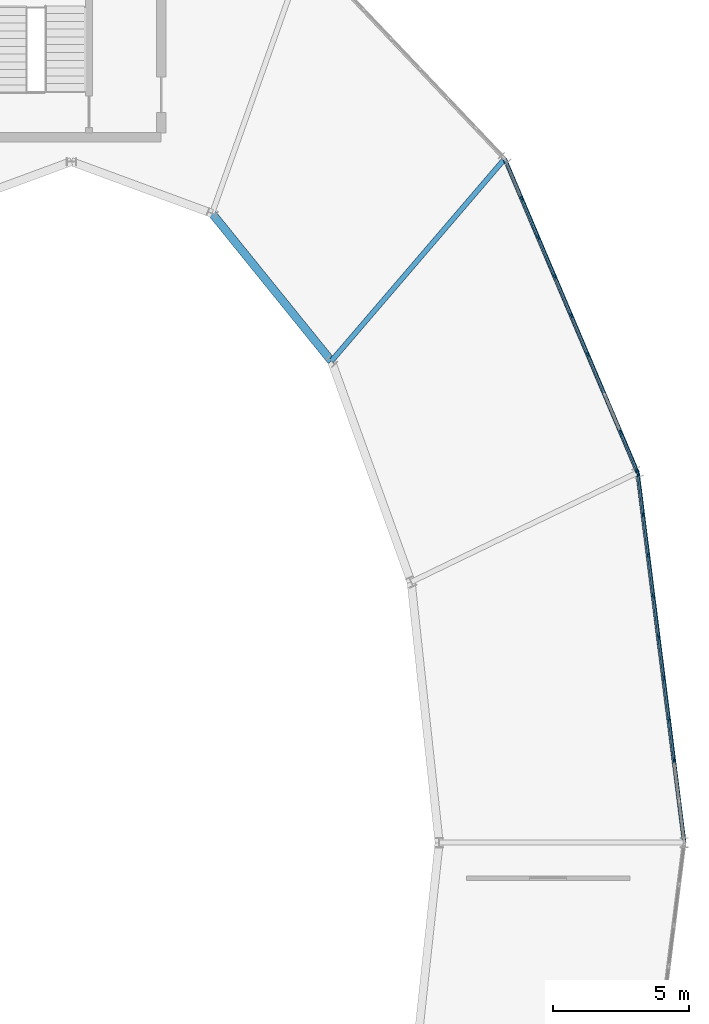
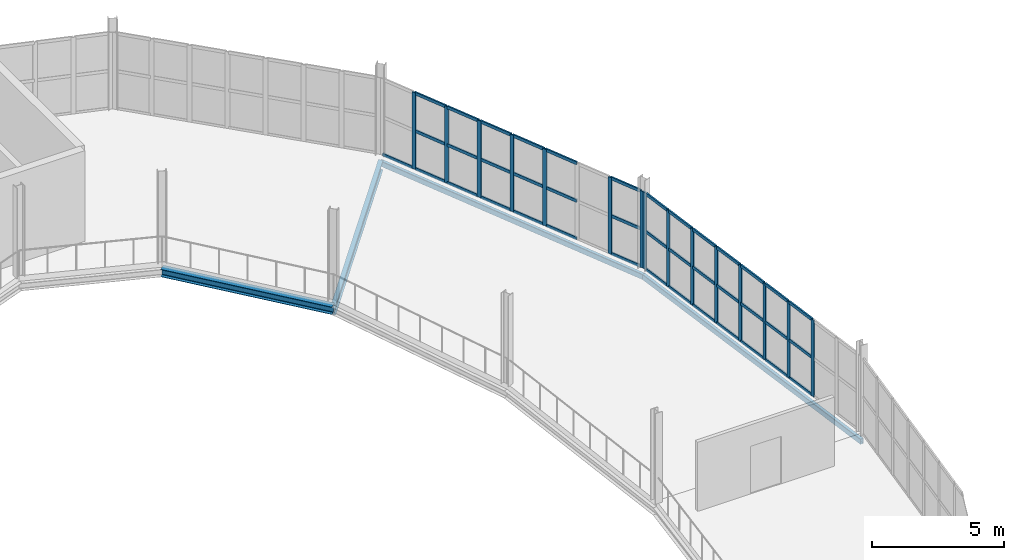
# One storey, part 92 of 161: 55 members, 4 beams, 2 elements without a shape of their own.
"""IFC4 building model written with IfcOpenShell, lengths in metres."""

from ifc_helpers import new_model, si_unit, direction, frame, origin, origin_2d, place, context, subcontext, project, spatial, rectangle, hollow_rectangle, i_section, extrude, material, material_profile, profile_set, type_object, element, aggregate, save


model = new_model("IFC4")

# Units and contexts
model_context = context("Model", 3, precision=1e-05, world=origin(), true_north=direction((0.0, 1.0)))
body_context = subcontext(model_context, "Body", "Model", "MODEL_VIEW")
ifc_project = project(units=[si_unit("LENGTHUNIT", "METRE"), si_unit("AREAUNIT", "SQUARE_METRE"), si_unit("VOLUMEUNIT", "CUBIC_METRE"), si_unit("PLANEANGLEUNIT", "RADIAN"), si_unit("MASSUNIT", "GRAM", prefix="KILO")], contexts=[model_context])

# Site, building, storey
site_placement = place(None, origin())
site = spatial("IfcSite", under=ifc_project, at=site_placement, CompositionType="ELEMENT")
building_placement = place(site_placement, origin())
building = spatial("IfcBuilding", under=site, at=building_placement, Name="Kildeholm Park Wholesale Market", CompositionType="ELEMENT")
storey_placement = place(building_placement, frame((0.0, 0.0, 5.39990234375)))
storey = spatial("IfcBuildingStorey", under=building, at=storey_placement, Name="L01", CompositionType="ELEMENT", Elevation=5.39990234375)

# Beams
ifc_material_1 = material(Name="Steel S355", Category="steel")
ifc_material_profile_1 = material_profile(ifc_material_1, i_section(OverallWidth=0.18994140625, OverallDepth=0.449951171875, WebThickness=0.009521484375, FlangeThickness=0.0146484375, FilletRadius=0.02099609375, at=origin_2d()), Name="IPE 450")
ifc_profile_set_1 = profile_set([ifc_material_profile_1], Name="Steel S355")
beam_type_1 = type_object("IfcBeamType", Name="Beam B-P02 IPE 450", PredefinedType="BEAM", material=ifc_profile_set_1)
beam_1_placement = place(storey_placement, frame((197.5458984375, 112.177978515625, -0.48486328125), z_axis=(0.650822214859, 0.75923016579, 0.0), x_axis=(-0.75923016579, 0.650822214859, 0.0)))
element("IfcBeam", 1, at=beam_1_placement, inside=storey, type_object=beam_type_1, Name="Beam BM-V2-L01-R-02 BM-0377", PredefinedType="BEAM", context=body_context, shape_type="SweptSolid", body=[
    extrude(i_section(OverallWidth=0.18994140625, OverallDepth=0.449951171875, WebThickness=0.009521484375, FlangeThickness=0.0146484375, FilletRadius=0.02099609375, at=origin_2d()), origin(), (0.0, 0.0, 1.0), 9.7783203125),
])
ifc_material_profile_2 = material_profile(ifc_material_1, i_section(OverallWidth=0.300048828125, OverallDepth=0.35009765625, WebThickness=0.010009765625, FlangeThickness=0.017578125, FilletRadius=0.027099609375, at=origin_2d()), Name="HEA 360")
ifc_profile_set_2 = profile_set([ifc_material_profile_2], Name="Steel S355")
beam_type_2 = type_object("IfcBeamType", Name="Beam B-R01 HEA 360", PredefinedType="BEAM", material=ifc_profile_set_2)
beam_2_placement = place(storey_placement, frame((197.5458984375, 112.177978515625, -0.434814453125), z_axis=(-0.628601322688, 0.777727701136, 0.0), x_axis=(-0.777727701136, -0.628601322688, 0.0)))
element("IfcBeam", 2, at=beam_2_placement, inside=storey, type_object=beam_type_2, Name="Beam BM-V2-L01-CI-02 BM-0379", PredefinedType="BEAM", context=body_context, shape_type="SweptSolid", body=[
    extrude(i_section(OverallWidth=0.300048828125, OverallDepth=0.35009765625, WebThickness=0.010009765625, FlangeThickness=0.017578125, FilletRadius=0.027099609375, at=origin_2d()), origin(), (0.0, 0.0, 1.0), 6.9677734375),
])
ifc_material_profile_3 = material_profile(ifc_material_1, hollow_rectangle(XDim=0.14990234375, YDim=0.25, WallThickness=0.010009765625, InnerFilletRadius=0.010009765625, OuterFilletRadius=0.02001953125, at=origin_2d()), Name="RHS 250x150x10")
ifc_profile_set_3 = profile_set([ifc_material_profile_3], Name="Steel S355")
beam_type_3 = type_object("IfcBeamType", Name="Beam SP-02 RHS 250x150x10", PredefinedType="SPANDREL", material=ifc_profile_set_3)
beam_3_placement = place(storey_placement, frame((210.5, 94.5, -0.385009765625), z_axis=(-0.125096795787, 0.99214454173, 0.0), x_axis=(-0.99214454173, -0.125096795787, 0.0)))
element("IfcBeam", 3, at=beam_3_placement, inside=storey, type_object=beam_type_3, Name="Beam BM-V2-L01-CO-00 BM-0366", PredefinedType="SPANDREL", context=body_context, shape_type="SweptSolid", body=[
    extrude(hollow_rectangle(XDim=0.14990234375, YDim=0.25, WallThickness=0.010009765625, InnerFilletRadius=0.010009765625, OuterFilletRadius=0.02001953125, at=origin_2d()), origin(), (0.0, 0.0, 1.0), 13.692626953125),
])
beam_4_placement = place(storey_placement, frame((208.787109375, 108.0849609375, -0.385009765625), z_axis=(-0.389950720924, 0.920835726528, 0.0), x_axis=(-0.920835726528, -0.389950720924, 0.0)))
element("IfcBeam", 4, at=beam_4_placement, inside=storey, type_object=beam_type_3, Name="Beam BM-V2-L01-CO-01 BM-0373", PredefinedType="SPANDREL", context=body_context, shape_type="SweptSolid", body=[
    extrude(hollow_rectangle(XDim=0.14990234375, YDim=0.25, WallThickness=0.010009765625, InnerFilletRadius=0.010009765625, OuterFilletRadius=0.02001953125, at=origin_2d()), origin(), (0.0, 0.0, 1.0), 12.50732421875),
])

# Curtain wall, members
ifc_material_2 = material(Name="Anodised aluminium and low-E double-glazed glass", Category="aluminium")
curtain_wall_type = type_object("IfcCurtainWallType", Name="Market hall glazed arcade stick curtain wall CW-01", PredefinedType="NOTDEFINED", material=ifc_material_2)
curtain_wall_1_placement = place(storey_placement, origin())
curtain_wall_1 = element("IfcCurtainWall", 5, at=curtain_wall_1_placement, inside=storey, type_object=curtain_wall_type, Name="Curtain wall CW-V2-L01-00 CW-0119", PredefinedType="NOTDEFINED")
ifc_material_3 = material(Name="Anodised aluminium", Category="aluminium")
ifc_material_profile_4 = material_profile(ifc_material_3, rectangle(XDim=0.06494140625, YDim=0.179931640625, at=origin_2d()), Name="CWM 65x180")
ifc_profile_set_4 = profile_set([ifc_material_profile_4], Name="Anodised aluminium")
member_type_1 = type_object("IfcMemberType", Name="Curtain-wall mullion CWM-1 CWM 65x180", PredefinedType="MULLION", material=ifc_profile_set_4)
member_1_placement = place(storey_placement, frame((210.12158203125, 97.54248046875, 0.0), z_axis=(0.0, 0.0, 1.0), x_axis=(-0.992145095497, -0.12509240377, 0.0)))
member_1 = element("IfcMember", 6, at=member_1_placement, type_object=member_type_1, Name="CW-01 mullion 3 MEM-3650", PredefinedType="MULLION", context=body_context, shape_type="SweptSolid", body=[
    extrude(rectangle(XDim=0.06494140625, YDim=0.179931640625, at=origin_2d()), origin(), (0.0, 0.0, 1.0), 3.550048828125),
])
member_2_placement = place(storey_placement, frame((209.932373046875, 99.043212890625, 0.0), z_axis=(0.0, 0.0, 1.0), x_axis=(-0.992145095497, -0.12509240377, 0.0)))
member_2 = element("IfcMember", 7, at=member_2_placement, type_object=member_type_1, Name="CW-01 mullion 4 MEM-3651", PredefinedType="MULLION", context=body_context, shape_type="SweptSolid", body=[
    extrude(rectangle(XDim=0.06494140625, YDim=0.179931640625, at=origin_2d()), origin(), (0.0, 0.0, 1.0), 3.550048828125),
])
member_3_placement = place(storey_placement, frame((209.7431640625, 100.544189453125, 0.0), z_axis=(0.0, 0.0, 1.0), x_axis=(-0.992145095497, -0.12509240377, 0.0)))
member_3 = element("IfcMember", 8, at=member_3_placement, type_object=member_type_1, Name="CW-01 mullion 5 MEM-3652", PredefinedType="MULLION", context=body_context, shape_type="SweptSolid", body=[
    extrude(rectangle(XDim=0.06494140625, YDim=0.179931640625, at=origin_2d()), origin(), (0.0, 0.0, 1.0), 3.550048828125),
])
member_4_placement = place(storey_placement, frame((209.553955078125, 102.044921875, 0.0), z_axis=(0.0, 0.0, 1.0), x_axis=(-0.992145095497, -0.12509240377, 0.0)))
member_4 = element("IfcMember", 9, at=member_4_placement, type_object=member_type_1, Name="CW-01 mullion 6 MEM-3653", PredefinedType="MULLION", context=body_context, shape_type="SweptSolid", body=[
    extrude(rectangle(XDim=0.06494140625, YDim=0.179931640625, at=origin_2d()), origin(), (0.0, 0.0, 1.0), 3.550048828125),
])
member_5_placement = place(storey_placement, frame((209.36474609375, 103.545654296875, 0.0), z_axis=(0.0, 0.0, 1.0), x_axis=(-0.992145095497, -0.12509240377, 0.0)))
member_5 = element("IfcMember", 10, at=member_5_placement, type_object=member_type_1, Name="CW-01 mullion 7 MEM-3654", PredefinedType="MULLION", context=body_context, shape_type="SweptSolid", body=[
    extrude(rectangle(XDim=0.06494140625, YDim=0.179931640625, at=origin_2d()), origin(), (0.0, 0.0, 1.0), 3.550048828125),
])
member_6_placement = place(storey_placement, frame((209.175537109375, 105.04638671875, 0.0), z_axis=(0.0, 0.0, 1.0), x_axis=(-0.992145095497, -0.12509240377, 0.0)))
member_6 = element("IfcMember", 11, at=member_6_placement, type_object=member_type_1, Name="CW-01 mullion 8 MEM-3655", PredefinedType="MULLION", context=body_context, shape_type="SweptSolid", body=[
    extrude(rectangle(XDim=0.06494140625, YDim=0.179931640625, at=origin_2d()), origin(), (0.0, 0.0, 1.0), 3.550048828125),
])
member_7_placement = place(storey_placement, frame((208.986328125, 106.547119140625, 0.0), z_axis=(0.0, 0.0, 1.0), x_axis=(-0.992145095497, -0.12509240377, 0.0)))
member_7 = element("IfcMember", 12, at=member_7_placement, type_object=member_type_1, Name="CW-01 mullion 9 MEM-3656", PredefinedType="MULLION", context=body_context, shape_type="SweptSolid", body=[
    extrude(rectangle(XDim=0.06494140625, YDim=0.179931640625, at=origin_2d()), origin(), (0.0, 0.0, 1.0), 3.550048828125),
])
member_8_placement = place(storey_placement, frame((208.801025390625, 108.015869140625, 0.0), z_axis=(0.0, 0.0, 1.0), x_axis=(-0.992145095497, -0.12509240377, 0.0)))
member_8 = element("IfcMember", 13, at=member_8_placement, type_object=member_type_1, Name="CW-01 mullion 10 MEM-3657", PredefinedType="MULLION", context=body_context, shape_type="SweptSolid", body=[
    extrude(rectangle(XDim=0.06494140625, YDim=0.179931640625, at=origin_2d()), origin(), (0.0, 0.0, 1.0), 3.550048828125),
])

curtain_wall_2_placement = place(storey_placement, origin())
curtain_wall_2 = element("IfcCurtainWall", 14, at=curtain_wall_2_placement, inside=storey, type_object=curtain_wall_type, Name="Curtain wall CW-V2-L01-01 CW-0120", PredefinedType="NOTDEFINED")
member_9_placement = place(storey_placement, frame((208.763427734375, 108.156005859375, 0.0), z_axis=(0.0, 0.0, 1.0), x_axis=(-0.920855054668, -0.389905076002, 0.0)))
member_9 = element("IfcMember", 15, at=member_9_placement, type_object=member_type_1, Name="CW-01 mullion 1 MEM-3685", PredefinedType="MULLION", context=body_context, shape_type="SweptSolid", body=[
    extrude(rectangle(XDim=0.06494140625, YDim=0.179931640625, at=origin_2d()), origin(), (0.0, 0.0, 1.0), 3.550048828125),
])
member_10_placement = place(storey_placement, frame((208.170166015625, 109.556640625, 0.0), z_axis=(0.0, 0.0, 1.0), x_axis=(-0.920855054668, -0.389905076002, 0.0)))
member_10 = element("IfcMember", 16, at=member_10_placement, type_object=member_type_1, Name="CW-01 mullion 2 MEM-3686", PredefinedType="MULLION", context=body_context, shape_type="SweptSolid", body=[
    extrude(rectangle(XDim=0.06494140625, YDim=0.179931640625, at=origin_2d()), origin(), (0.0, 0.0, 1.0), 3.550048828125),
])
member_11_placement = place(storey_placement, frame((206.958740234375, 112.41796875, 0.0), z_axis=(0.0, 0.0, 1.0), x_axis=(-0.920855054668, -0.389905076002, 0.0)))
member_11 = element("IfcMember", 17, at=member_11_placement, type_object=member_type_1, Name="CW-01 mullion 4 MEM-3688", PredefinedType="MULLION", context=body_context, shape_type="SweptSolid", body=[
    extrude(rectangle(XDim=0.06494140625, YDim=0.179931640625, at=origin_2d()), origin(), (0.0, 0.0, 1.0), 3.550048828125),
])
member_12_placement = place(storey_placement, frame((206.35302734375, 113.848388671875, 0.0), z_axis=(0.0, 0.0, 1.0), x_axis=(-0.920855054668, -0.389905076002, 0.0)))
member_12 = element("IfcMember", 18, at=member_12_placement, type_object=member_type_1, Name="CW-01 mullion 5 MEM-3689", PredefinedType="MULLION", context=body_context, shape_type="SweptSolid", body=[
    extrude(rectangle(XDim=0.06494140625, YDim=0.179931640625, at=origin_2d()), origin(), (0.0, 0.0, 1.0), 3.550048828125),
])
member_13_placement = place(storey_placement, frame((205.747314453125, 115.279052734375, 0.0), z_axis=(0.0, 0.0, 1.0), x_axis=(-0.920855054668, -0.389905076002, 0.0)))
member_13 = element("IfcMember", 19, at=member_13_placement, type_object=member_type_1, Name="CW-01 mullion 6 MEM-3690", PredefinedType="MULLION", context=body_context, shape_type="SweptSolid", body=[
    extrude(rectangle(XDim=0.06494140625, YDim=0.179931640625, at=origin_2d()), origin(), (0.0, 0.0, 1.0), 3.550048828125),
])
member_14_placement = place(storey_placement, frame((205.1416015625, 116.709716796875, 0.0), z_axis=(0.0, 0.0, 1.0), x_axis=(-0.920855054668, -0.389905076002, 0.0)))
member_14 = element("IfcMember", 20, at=member_14_placement, type_object=member_type_1, Name="CW-01 mullion 7 MEM-3691", PredefinedType="MULLION", context=body_context, shape_type="SweptSolid", body=[
    extrude(rectangle(XDim=0.06494140625, YDim=0.179931640625, at=origin_2d()), origin(), (0.0, 0.0, 1.0), 3.550048828125),
])
member_15_placement = place(storey_placement, frame((204.53564453125, 118.140380859375, 0.0), z_axis=(0.0, 0.0, 1.0), x_axis=(-0.920855054668, -0.389905076002, 0.0)))
member_15 = element("IfcMember", 21, at=member_15_placement, type_object=member_type_1, Name="CW-01 mullion 8 MEM-3692", PredefinedType="MULLION", context=body_context, shape_type="SweptSolid", body=[
    extrude(rectangle(XDim=0.06494140625, YDim=0.179931640625, at=origin_2d()), origin(), (0.0, 0.0, 1.0), 3.550048828125),
])

# Member
ifc_material_profile_5 = material_profile(ifc_material_3, rectangle(XDim=0.06494140625, YDim=0.139892578125, at=origin_2d()), Name="CWT 65x140")
ifc_profile_set_5 = profile_set([ifc_material_profile_5], Name="Anodised aluminium")
member_type_2 = type_object("IfcMemberType", Name="Curtain-wall transom CWT-1 CWT 65x140", PredefinedType="USERDEFINED", material=ifc_profile_set_5)
member_16_placement = place(storey_placement, frame((210.117431640625, 97.57470703125, 0.03271484375), z_axis=(-0.125134744026, 0.992139756203, 0.0), x_axis=(-0.992139756203, -0.125134744026, 0.0)))
member_16 = element("IfcMember", 22, at=member_16_placement, type_object=member_type_2, Name="CW-01 transom 3.1 MEM-3664", ObjectType="TRANSOM", PredefinedType="USERDEFINED", context=body_context, shape_type="SweptSolid", body=[
    extrude(rectangle(XDim=0.06494140625, YDim=0.139892578125, at=origin_2d()), origin(), (0.0, 0.0, 1.0), 1.44775390625),
])

member_17_placement = place(storey_placement, frame((210.117431640625, 97.57470703125, 1.775146484375), z_axis=(-0.125134744026, 0.992139756203, 0.0), x_axis=(-0.992139756203, -0.125134744026, 0.0)))
member_17 = element("IfcMember", 23, at=member_17_placement, type_object=member_type_2, Name="CW-01 transom 3.2 MEM-3665", ObjectType="TRANSOM", PredefinedType="USERDEFINED", context=body_context, shape_type="SweptSolid", body=[
    extrude(rectangle(XDim=0.06494140625, YDim=0.139892578125, at=origin_2d()), origin(), (0.0, 0.0, 1.0), 1.44775390625),
])

member_18_placement = place(storey_placement, frame((210.117431640625, 97.57470703125, 3.517578125), z_axis=(-0.125134744026, 0.992139756203, 0.0), x_axis=(-0.992139756203, -0.125134744026, 0.0)))
member_18 = element("IfcMember", 24, at=member_18_placement, type_object=member_type_2, Name="CW-01 transom 3.3 MEM-3666", ObjectType="TRANSOM", PredefinedType="USERDEFINED", context=body_context, shape_type="SweptSolid", body=[
    extrude(rectangle(XDim=0.06494140625, YDim=0.139892578125, at=origin_2d()), origin(), (0.0, 0.0, 1.0), 1.44775390625),
])

member_19_placement = place(storey_placement, frame((209.92822265625, 99.07568359375, 0.03271484375), z_axis=(-0.125134744026, 0.992139756203, 0.0), x_axis=(-0.992139756203, -0.125134744026, 0.0)))
member_19 = element("IfcMember", 25, at=member_19_placement, type_object=member_type_2, Name="CW-01 transom 4.1 MEM-3667", ObjectType="TRANSOM", PredefinedType="USERDEFINED", context=body_context, shape_type="SweptSolid", body=[
    extrude(rectangle(XDim=0.06494140625, YDim=0.139892578125, at=origin_2d()), origin(), (0.0, 0.0, 1.0), 1.44775390625),
])

member_20_placement = place(storey_placement, frame((209.92822265625, 99.07568359375, 1.775146484375), z_axis=(-0.125134744026, 0.992139756203, 0.0), x_axis=(-0.992139756203, -0.125134744026, 0.0)))
member_20 = element("IfcMember", 26, at=member_20_placement, type_object=member_type_2, Name="CW-01 transom 4.2 MEM-3668", ObjectType="TRANSOM", PredefinedType="USERDEFINED", context=body_context, shape_type="SweptSolid", body=[
    extrude(rectangle(XDim=0.06494140625, YDim=0.139892578125, at=origin_2d()), origin(), (0.0, 0.0, 1.0), 1.44775390625),
])

member_21_placement = place(storey_placement, frame((209.92822265625, 99.07568359375, 3.517578125), z_axis=(-0.125134744026, 0.992139756203, 0.0), x_axis=(-0.992139756203, -0.125134744026, 0.0)))
member_21 = element("IfcMember", 27, at=member_21_placement, type_object=member_type_2, Name="CW-01 transom 4.3 MEM-3669", ObjectType="TRANSOM", PredefinedType="USERDEFINED", context=body_context, shape_type="SweptSolid", body=[
    extrude(rectangle(XDim=0.06494140625, YDim=0.139892578125, at=origin_2d()), origin(), (0.0, 0.0, 1.0), 1.44775390625),
])

member_22_placement = place(storey_placement, frame((209.739013671875, 100.576416015625, 0.03271484375), z_axis=(-0.125134744026, 0.992139756203, 0.0), x_axis=(-0.992139756203, -0.125134744026, 0.0)))
member_22 = element("IfcMember", 28, at=member_22_placement, type_object=member_type_2, Name="CW-01 transom 5.1 MEM-3670", ObjectType="TRANSOM", PredefinedType="USERDEFINED", context=body_context, shape_type="SweptSolid", body=[
    extrude(rectangle(XDim=0.06494140625, YDim=0.139892578125, at=origin_2d()), origin(), (0.0, 0.0, 1.0), 1.44775390625),
])

member_23_placement = place(storey_placement, frame((209.739013671875, 100.576416015625, 1.775146484375), z_axis=(-0.125134744026, 0.992139756203, 0.0), x_axis=(-0.992139756203, -0.125134744026, 0.0)))
member_23 = element("IfcMember", 29, at=member_23_placement, type_object=member_type_2, Name="CW-01 transom 5.2 MEM-3671", ObjectType="TRANSOM", PredefinedType="USERDEFINED", context=body_context, shape_type="SweptSolid", body=[
    extrude(rectangle(XDim=0.06494140625, YDim=0.139892578125, at=origin_2d()), origin(), (0.0, 0.0, 1.0), 1.44775390625),
])

member_24_placement = place(storey_placement, frame((209.739013671875, 100.576416015625, 3.517578125), z_axis=(-0.125134744026, 0.992139756203, 0.0), x_axis=(-0.992139756203, -0.125134744026, 0.0)))
member_24 = element("IfcMember", 30, at=member_24_placement, type_object=member_type_2, Name="CW-01 transom 5.3 MEM-3672", ObjectType="TRANSOM", PredefinedType="USERDEFINED", context=body_context, shape_type="SweptSolid", body=[
    extrude(rectangle(XDim=0.06494140625, YDim=0.139892578125, at=origin_2d()), origin(), (0.0, 0.0, 1.0), 1.44775390625),
])

member_25_placement = place(storey_placement, frame((209.5498046875, 102.0771484375, 0.03271484375), z_axis=(-0.125134744026, 0.992139756203, 0.0), x_axis=(-0.992139756203, -0.125134744026, 0.0)))
member_25 = element("IfcMember", 31, at=member_25_placement, type_object=member_type_2, Name="CW-01 transom 6.1 MEM-3673", ObjectType="TRANSOM", PredefinedType="USERDEFINED", context=body_context, shape_type="SweptSolid", body=[
    extrude(rectangle(XDim=0.06494140625, YDim=0.139892578125, at=origin_2d()), origin(), (0.0, 0.0, 1.0), 1.44775390625),
])

member_26_placement = place(storey_placement, frame((209.5498046875, 102.0771484375, 1.775146484375), z_axis=(-0.125134744026, 0.992139756203, 0.0), x_axis=(-0.992139756203, -0.125134744026, 0.0)))
member_26 = element("IfcMember", 32, at=member_26_placement, type_object=member_type_2, Name="CW-01 transom 6.2 MEM-3674", ObjectType="TRANSOM", PredefinedType="USERDEFINED", context=body_context, shape_type="SweptSolid", body=[
    extrude(rectangle(XDim=0.06494140625, YDim=0.139892578125, at=origin_2d()), origin(), (0.0, 0.0, 1.0), 1.44775390625),
])

member_27_placement = place(storey_placement, frame((209.5498046875, 102.0771484375, 3.517578125), z_axis=(-0.125134744026, 0.992139756203, 0.0), x_axis=(-0.992139756203, -0.125134744026, 0.0)))
member_27 = element("IfcMember", 33, at=member_27_placement, type_object=member_type_2, Name="CW-01 transom 6.3 MEM-3675", ObjectType="TRANSOM", PredefinedType="USERDEFINED", context=body_context, shape_type="SweptSolid", body=[
    extrude(rectangle(XDim=0.06494140625, YDim=0.139892578125, at=origin_2d()), origin(), (0.0, 0.0, 1.0), 1.44775390625),
])

member_28_placement = place(storey_placement, frame((209.360595703125, 103.577880859375, 0.03271484375), z_axis=(-0.125134744026, 0.992139756203, 0.0), x_axis=(-0.992139756203, -0.125134744026, 0.0)))
member_28 = element("IfcMember", 34, at=member_28_placement, type_object=member_type_2, Name="CW-01 transom 7.1 MEM-3676", ObjectType="TRANSOM", PredefinedType="USERDEFINED", context=body_context, shape_type="SweptSolid", body=[
    extrude(rectangle(XDim=0.06494140625, YDim=0.139892578125, at=origin_2d()), origin(), (0.0, 0.0, 1.0), 1.44775390625),
])

member_29_placement = place(storey_placement, frame((209.360595703125, 103.577880859375, 1.775146484375), z_axis=(-0.125134744026, 0.992139756203, 0.0), x_axis=(-0.992139756203, -0.125134744026, 0.0)))
member_29 = element("IfcMember", 35, at=member_29_placement, type_object=member_type_2, Name="CW-01 transom 7.2 MEM-3677", ObjectType="TRANSOM", PredefinedType="USERDEFINED", context=body_context, shape_type="SweptSolid", body=[
    extrude(rectangle(XDim=0.06494140625, YDim=0.139892578125, at=origin_2d()), origin(), (0.0, 0.0, 1.0), 1.44775390625),
])

member_30_placement = place(storey_placement, frame((209.360595703125, 103.577880859375, 3.517578125), z_axis=(-0.125134744026, 0.992139756203, 0.0), x_axis=(-0.992139756203, -0.125134744026, 0.0)))
member_30 = element("IfcMember", 36, at=member_30_placement, type_object=member_type_2, Name="CW-01 transom 7.3 MEM-3678", ObjectType="TRANSOM", PredefinedType="USERDEFINED", context=body_context, shape_type="SweptSolid", body=[
    extrude(rectangle(XDim=0.06494140625, YDim=0.139892578125, at=origin_2d()), origin(), (0.0, 0.0, 1.0), 1.44775390625),
])

member_31_placement = place(storey_placement, frame((209.17138671875, 105.07861328125, 0.03271484375), z_axis=(-0.125134744026, 0.992139756203, 0.0), x_axis=(-0.992139756203, -0.125134744026, 0.0)))
member_31 = element("IfcMember", 37, at=member_31_placement, type_object=member_type_2, Name="CW-01 transom 8.1 MEM-3679", ObjectType="TRANSOM", PredefinedType="USERDEFINED", context=body_context, shape_type="SweptSolid", body=[
    extrude(rectangle(XDim=0.06494140625, YDim=0.139892578125, at=origin_2d()), origin(), (0.0, 0.0, 1.0), 1.44775390625),
])

member_32_placement = place(storey_placement, frame((209.17138671875, 105.07861328125, 1.775146484375), z_axis=(-0.125134744026, 0.992139756203, 0.0), x_axis=(-0.992139756203, -0.125134744026, 0.0)))
member_32 = element("IfcMember", 38, at=member_32_placement, type_object=member_type_2, Name="CW-01 transom 8.2 MEM-3680", ObjectType="TRANSOM", PredefinedType="USERDEFINED", context=body_context, shape_type="SweptSolid", body=[
    extrude(rectangle(XDim=0.06494140625, YDim=0.139892578125, at=origin_2d()), origin(), (0.0, 0.0, 1.0), 1.44775390625),
])

member_33_placement = place(storey_placement, frame((209.17138671875, 105.07861328125, 3.517578125), z_axis=(-0.125134744026, 0.992139756203, 0.0), x_axis=(-0.992139756203, -0.125134744026, 0.0)))
member_33 = element("IfcMember", 39, at=member_33_placement, type_object=member_type_2, Name="CW-01 transom 8.3 MEM-3681", ObjectType="TRANSOM", PredefinedType="USERDEFINED", context=body_context, shape_type="SweptSolid", body=[
    extrude(rectangle(XDim=0.06494140625, YDim=0.139892578125, at=origin_2d()), origin(), (0.0, 0.0, 1.0), 1.44775390625),
])

member_34_placement = place(storey_placement, frame((208.982177734375, 106.579345703125, 0.03271484375), z_axis=(-0.125075078735, 0.992147279732, 0.0), x_axis=(-0.992147279732, -0.125075078735, 0.0)))
member_34 = element("IfcMember", 40, at=member_34_placement, type_object=member_type_2, Name="CW-01 transom 9.1 MEM-3682", ObjectType="TRANSOM", PredefinedType="USERDEFINED", context=body_context, shape_type="SweptSolid", body=[
    extrude(rectangle(XDim=0.06494140625, YDim=0.139892578125, at=origin_2d()), origin(), (0.0, 0.0, 1.0), 1.415283203125),
])

member_35_placement = place(storey_placement, frame((208.982177734375, 106.579345703125, 1.775146484375), z_axis=(-0.125075078735, 0.992147279732, 0.0), x_axis=(-0.992147279732, -0.125075078735, 0.0)))
member_35 = element("IfcMember", 41, at=member_35_placement, type_object=member_type_2, Name="CW-01 transom 9.2 MEM-3683", ObjectType="TRANSOM", PredefinedType="USERDEFINED", context=body_context, shape_type="SweptSolid", body=[
    extrude(rectangle(XDim=0.06494140625, YDim=0.139892578125, at=origin_2d()), origin(), (0.0, 0.0, 1.0), 1.415283203125),
])

member_36_placement = place(storey_placement, frame((208.982177734375, 106.579345703125, 3.517578125), z_axis=(-0.125075078735, 0.992147279732, 0.0), x_axis=(-0.992147279732, -0.125075078735, 0.0)))
member_36 = element("IfcMember", 42, at=member_36_placement, type_object=member_type_2, Name="CW-01 transom 9.3 MEM-3684", ObjectType="TRANSOM", PredefinedType="USERDEFINED", context=body_context, shape_type="SweptSolid", body=[
    extrude(rectangle(XDim=0.06494140625, YDim=0.139892578125, at=origin_2d()), origin(), (0.0, 0.0, 1.0), 1.415283203125),
])

aggregate(curtain_wall_1, [member_1, member_2, member_3, member_4, member_5, member_6, member_7, member_8, member_16, member_17, member_18, member_19, member_20, member_21, member_22, member_23, member_24, member_25, member_26, member_27, member_28, member_29, member_30, member_31, member_32, member_33, member_34, member_35, member_36])

member_37_placement = place(storey_placement, frame((208.750732421875, 108.185791015625, 0.03271484375), z_axis=(-0.389990019704, 0.920819083497, 0.0), x_axis=(-0.920819083497, -0.389990019704, 0.0)))
member_37 = element("IfcMember", 43, at=member_37_placement, type_object=member_type_2, Name="CW-01 transom 1.1 MEM-3694", ObjectType="TRANSOM", PredefinedType="USERDEFINED", context=body_context, shape_type="SweptSolid", body=[
    extrude(rectangle(XDim=0.06494140625, YDim=0.139892578125, at=origin_2d()), origin(), (0.0, 0.0, 1.0), 1.4560546875),
])

member_38_placement = place(storey_placement, frame((208.750732421875, 108.185791015625, 1.775146484375), z_axis=(-0.389990019704, 0.920819083497, 0.0), x_axis=(-0.920819083497, -0.389990019704, 0.0)))
member_38 = element("IfcMember", 44, at=member_38_placement, type_object=member_type_2, Name="CW-01 transom 1.2 MEM-3695", ObjectType="TRANSOM", PredefinedType="USERDEFINED", context=body_context, shape_type="SweptSolid", body=[
    extrude(rectangle(XDim=0.06494140625, YDim=0.139892578125, at=origin_2d()), origin(), (0.0, 0.0, 1.0), 1.4560546875),
])

member_39_placement = place(storey_placement, frame((208.750732421875, 108.185791015625, 3.517578125), z_axis=(-0.389990019704, 0.920819083497, 0.0), x_axis=(-0.920819083497, -0.389990019704, 0.0)))
member_39 = element("IfcMember", 45, at=member_39_placement, type_object=member_type_2, Name="CW-01 transom 1.3 MEM-3696", ObjectType="TRANSOM", PredefinedType="USERDEFINED", context=body_context, shape_type="SweptSolid", body=[
    extrude(rectangle(XDim=0.06494140625, YDim=0.139892578125, at=origin_2d()), origin(), (0.0, 0.0, 1.0), 1.4560546875),
])

member_40_placement = place(storey_placement, frame((207.5517578125, 111.01708984375, 0.03271484375), z_axis=(-0.389837939204, 0.920883478599, 0.0), x_axis=(-0.920883478599, -0.389837939204, 0.0)))
member_40 = element("IfcMember", 46, at=member_40_placement, type_object=member_type_2, Name="CW-01 transom 3.1 MEM-3700", ObjectType="TRANSOM", PredefinedType="USERDEFINED", context=body_context, shape_type="SweptSolid", body=[
    extrude(rectangle(XDim=0.06494140625, YDim=0.139892578125, at=origin_2d()), origin(), (0.0, 0.0, 1.0), 1.488525390625),
])

member_41_placement = place(storey_placement, frame((207.5517578125, 111.01708984375, 1.775146484375), z_axis=(-0.389837939204, 0.920883478599, 0.0), x_axis=(-0.920883478599, -0.389837939204, 0.0)))
member_41 = element("IfcMember", 47, at=member_41_placement, type_object=member_type_2, Name="CW-01 transom 3.2 MEM-3701", ObjectType="TRANSOM", PredefinedType="USERDEFINED", context=body_context, shape_type="SweptSolid", body=[
    extrude(rectangle(XDim=0.06494140625, YDim=0.139892578125, at=origin_2d()), origin(), (0.0, 0.0, 1.0), 1.488525390625),
])

member_42_placement = place(storey_placement, frame((207.5517578125, 111.01708984375, 3.517578125), z_axis=(-0.389837939204, 0.920883478599, 0.0), x_axis=(-0.920883478599, -0.389837939204, 0.0)))
member_42 = element("IfcMember", 48, at=member_42_placement, type_object=member_type_2, Name="CW-01 transom 3.3 MEM-3702", ObjectType="TRANSOM", PredefinedType="USERDEFINED", context=body_context, shape_type="SweptSolid", body=[
    extrude(rectangle(XDim=0.06494140625, YDim=0.139892578125, at=origin_2d()), origin(), (0.0, 0.0, 1.0), 1.488525390625),
])

member_43_placement = place(storey_placement, frame((206.946044921875, 112.44775390625, 0.03271484375), z_axis=(-0.389837939204, 0.920883478599, 0.0), x_axis=(-0.920883478599, -0.389837939204, 0.0)))
member_43 = element("IfcMember", 49, at=member_43_placement, type_object=member_type_2, Name="CW-01 transom 4.1 MEM-3703", ObjectType="TRANSOM", PredefinedType="USERDEFINED", context=body_context, shape_type="SweptSolid", body=[
    extrude(rectangle(XDim=0.06494140625, YDim=0.139892578125, at=origin_2d()), origin(), (0.0, 0.0, 1.0), 1.488525390625),
])

member_44_placement = place(storey_placement, frame((206.946044921875, 112.44775390625, 1.775146484375), z_axis=(-0.389837939204, 0.920883478599, 0.0), x_axis=(-0.920883478599, -0.389837939204, 0.0)))
member_44 = element("IfcMember", 50, at=member_44_placement, type_object=member_type_2, Name="CW-01 transom 4.2 MEM-3704", ObjectType="TRANSOM", PredefinedType="USERDEFINED", context=body_context, shape_type="SweptSolid", body=[
    extrude(rectangle(XDim=0.06494140625, YDim=0.139892578125, at=origin_2d()), origin(), (0.0, 0.0, 1.0), 1.488525390625),
])

member_45_placement = place(storey_placement, frame((206.946044921875, 112.44775390625, 3.517578125), z_axis=(-0.389837939204, 0.920883478599, 0.0), x_axis=(-0.920883478599, -0.389837939204, 0.0)))
member_45 = element("IfcMember", 51, at=member_45_placement, type_object=member_type_2, Name="CW-01 transom 4.3 MEM-3705", ObjectType="TRANSOM", PredefinedType="USERDEFINED", context=body_context, shape_type="SweptSolid", body=[
    extrude(rectangle(XDim=0.06494140625, YDim=0.139892578125, at=origin_2d()), origin(), (0.0, 0.0, 1.0), 1.488525390625),
])

member_46_placement = place(storey_placement, frame((206.34033203125, 113.87841796875, 0.03271484375), z_axis=(-0.389837939204, 0.920883478599, 0.0), x_axis=(-0.920883478599, -0.389837939204, 0.0)))
member_46 = element("IfcMember", 52, at=member_46_placement, type_object=member_type_2, Name="CW-01 transom 5.1 MEM-3706", ObjectType="TRANSOM", PredefinedType="USERDEFINED", context=body_context, shape_type="SweptSolid", body=[
    extrude(rectangle(XDim=0.06494140625, YDim=0.139892578125, at=origin_2d()), origin(), (0.0, 0.0, 1.0), 1.488525390625),
])

member_47_placement = place(storey_placement, frame((206.34033203125, 113.87841796875, 1.775146484375), z_axis=(-0.389837939204, 0.920883478599, 0.0), x_axis=(-0.920883478599, -0.389837939204, 0.0)))
member_47 = element("IfcMember", 53, at=member_47_placement, type_object=member_type_2, Name="CW-01 transom 5.2 MEM-3707", ObjectType="TRANSOM", PredefinedType="USERDEFINED", context=body_context, shape_type="SweptSolid", body=[
    extrude(rectangle(XDim=0.06494140625, YDim=0.139892578125, at=origin_2d()), origin(), (0.0, 0.0, 1.0), 1.488525390625),
])

member_48_placement = place(storey_placement, frame((206.34033203125, 113.87841796875, 3.517578125), z_axis=(-0.389837939204, 0.920883478599, 0.0), x_axis=(-0.920883478599, -0.389837939204, 0.0)))
member_48 = element("IfcMember", 54, at=member_48_placement, type_object=member_type_2, Name="CW-01 transom 5.3 MEM-3708", ObjectType="TRANSOM", PredefinedType="USERDEFINED", context=body_context, shape_type="SweptSolid", body=[
    extrude(rectangle(XDim=0.06494140625, YDim=0.139892578125, at=origin_2d()), origin(), (0.0, 0.0, 1.0), 1.488525390625),
])

member_49_placement = place(storey_placement, frame((205.734619140625, 115.30908203125, 0.03271484375), z_axis=(-0.389977005738, 0.92082459513, 0.0), x_axis=(-0.92082459513, -0.389977005738, 0.0)))
member_49 = element("IfcMember", 55, at=member_49_placement, type_object=member_type_2, Name="CW-01 transom 6.1 MEM-3709", ObjectType="TRANSOM", PredefinedType="USERDEFINED", context=body_context, shape_type="SweptSolid", body=[
    extrude(rectangle(XDim=0.06494140625, YDim=0.139892578125, at=origin_2d()), origin(), (0.0, 0.0, 1.0), 1.48876953125),
])

member_50_placement = place(storey_placement, frame((205.734619140625, 115.30908203125, 1.775146484375), z_axis=(-0.389977005738, 0.92082459513, 0.0), x_axis=(-0.92082459513, -0.389977005738, 0.0)))
member_50 = element("IfcMember", 56, at=member_50_placement, type_object=member_type_2, Name="CW-01 transom 6.2 MEM-3710", ObjectType="TRANSOM", PredefinedType="USERDEFINED", context=body_context, shape_type="SweptSolid", body=[
    extrude(rectangle(XDim=0.06494140625, YDim=0.139892578125, at=origin_2d()), origin(), (0.0, 0.0, 1.0), 1.48876953125),
])

member_51_placement = place(storey_placement, frame((205.734619140625, 115.30908203125, 3.517578125), z_axis=(-0.389977005738, 0.92082459513, 0.0), x_axis=(-0.92082459513, -0.389977005738, 0.0)))
member_51 = element("IfcMember", 57, at=member_51_placement, type_object=member_type_2, Name="CW-01 transom 6.3 MEM-3711", ObjectType="TRANSOM", PredefinedType="USERDEFINED", context=body_context, shape_type="SweptSolid", body=[
    extrude(rectangle(XDim=0.06494140625, YDim=0.139892578125, at=origin_2d()), origin(), (0.0, 0.0, 1.0), 1.48876953125),
])

member_52_placement = place(storey_placement, frame((205.12890625, 116.73974609375, 0.03271484375), z_axis=(-0.390035904039, 0.920799648979, 0.0), x_axis=(-0.920799648979, -0.390035904039, 0.0)))
member_52 = element("IfcMember", 58, at=member_52_placement, type_object=member_type_2, Name="CW-01 transom 7.1 MEM-3712", ObjectType="TRANSOM", PredefinedType="USERDEFINED", context=body_context, shape_type="SweptSolid", body=[
    extrude(rectangle(XDim=0.06494140625, YDim=0.139892578125, at=origin_2d()), origin(), (0.0, 0.0, 1.0), 1.488525390625),
])

member_53_placement = place(storey_placement, frame((205.12890625, 116.73974609375, 1.775146484375), z_axis=(-0.390035904039, 0.920799648979, 0.0), x_axis=(-0.920799648979, -0.390035904039, 0.0)))
member_53 = element("IfcMember", 59, at=member_53_placement, type_object=member_type_2, Name="CW-01 transom 7.2 MEM-3713", ObjectType="TRANSOM", PredefinedType="USERDEFINED", context=body_context, shape_type="SweptSolid", body=[
    extrude(rectangle(XDim=0.06494140625, YDim=0.139892578125, at=origin_2d()), origin(), (0.0, 0.0, 1.0), 1.488525390625),
])

member_54_placement = place(storey_placement, frame((205.12890625, 116.73974609375, 3.517578125), z_axis=(-0.390035904039, 0.920799648979, 0.0), x_axis=(-0.920799648979, -0.390035904039, 0.0)))
member_54 = element("IfcMember", 60, at=member_54_placement, type_object=member_type_2, Name="CW-01 transom 7.3 MEM-3714", ObjectType="TRANSOM", PredefinedType="USERDEFINED", context=body_context, shape_type="SweptSolid", body=[
    extrude(rectangle(XDim=0.06494140625, YDim=0.139892578125, at=origin_2d()), origin(), (0.0, 0.0, 1.0), 1.488525390625),
])

member_55_placement = place(storey_placement, frame((204.523193359375, 118.17041015625, 0.03271484375), z_axis=(-0.389990019704, 0.920819083497, 0.0), x_axis=(-0.920819083497, -0.389990019704, 0.0)))
member_55 = element("IfcMember", 61, at=member_55_placement, type_object=member_type_2, Name="CW-01 transom 8.1 MEM-3715", ObjectType="TRANSOM", PredefinedType="USERDEFINED", context=body_context, shape_type="SweptSolid", body=[
    extrude(rectangle(XDim=0.06494140625, YDim=0.139892578125, at=origin_2d()), origin(), (0.0, 0.0, 1.0), 1.4560546875),
])

aggregate(curtain_wall_2, [member_9, member_10, member_11, member_12, member_13, member_14, member_15, member_37, member_38, member_39, member_40, member_41, member_42, member_43, member_44, member_45, member_46, member_47, member_48, member_49, member_50, member_51, member_52, member_53, member_54, member_55])

save(model, "model.ifc")
